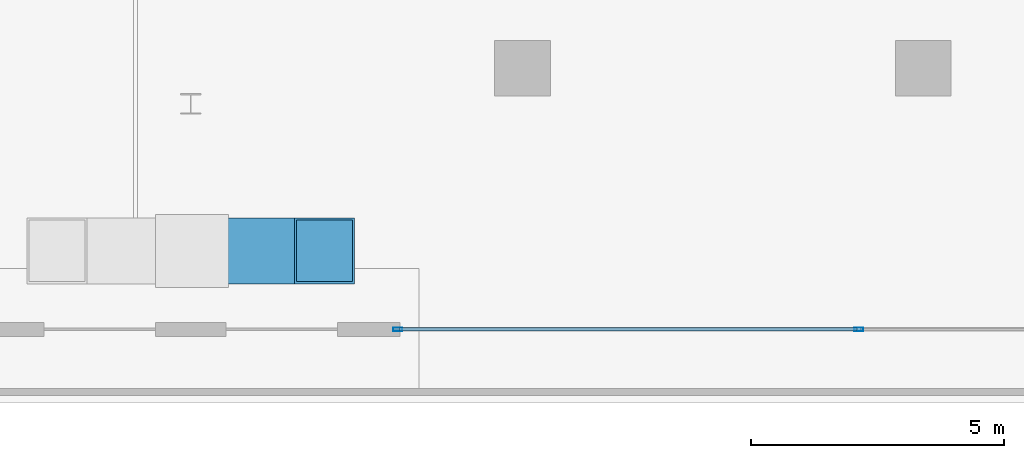
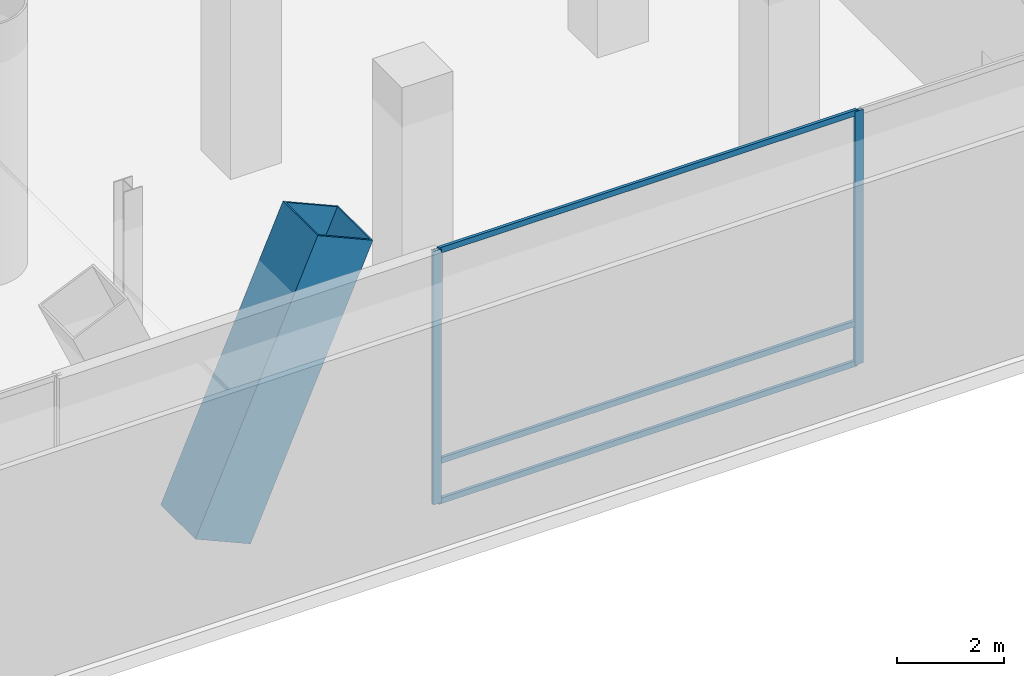
# One storey, part 12 of 40: 6 members, 1 element without a shape of its own.
"""IFC4 building model written with IfcOpenShell, lengths in metres."""

from ifc_helpers import new_model, si_unit, direction, frame, origin, origin_2d, place, context, subcontext, project, spatial, hollow_rectangle, extrude, material, layer, layer_set, material_profile, profile_set, type_object, element, aggregate, save


model = new_model("IFC4")

# Units and contexts
model_context = context("Model", 3, precision=1e-05, world=origin(), true_north=direction((0.0, 1.0)))
body_context = subcontext(model_context, "Body", "Model", "MODEL_VIEW")
ifc_project = project(units=[si_unit("LENGTHUNIT", "METRE"), si_unit("AREAUNIT", "SQUARE_METRE"), si_unit("VOLUMEUNIT", "CUBIC_METRE"), si_unit("PLANEANGLEUNIT", "RADIAN"), si_unit("MASSUNIT", "GRAM", prefix="KILO")], contexts=[model_context])

# Site, building, storey
site_placement = place(None, origin())
site = spatial("IfcSite", under=ifc_project, at=site_placement, CompositionType="ELEMENT")
building_placement = place(site_placement, origin())
building = spatial("IfcBuilding", under=site, at=building_placement, Name="Qianvela Tower", CompositionType="ELEMENT")
storey_placement = place(building_placement, origin())
storey = spatial("IfcBuildingStorey", under=building, at=storey_placement, Name="L00", CompositionType="ELEMENT", Elevation=0.0)

# Curtain wall, members
ifc_material_1 = material(Name="Anodised Architectural Aluminium and Low-E Glass", Category="aluminium")
ifc_layer = layer(ifc_material_1, 0.199951171875)
ifc_layer_set = layer_set([ifc_layer], Name="Anodised Architectural Aluminium and Low-E Glass")
curtain_wall_type = type_object("IfcCurtainWallType", Name="CW-CONCOURSE", PredefinedType="USERDEFINED", material=ifc_layer_set)
curtain_wall_placement = place(storey_placement, origin())
curtain_wall = element("IfcCurtainWall", 1, at=curtain_wall_placement, inside=storey, type_object=curtain_wall_type, Name="L00 CW-CONCOURSE Curtain Wall 01B", ObjectType="CURTAIN_WALL_SYSTEM", PredefinedType="USERDEFINED")
ifc_material_2 = material(Name="Anodised Architectural Aluminium 6063-T6", Category="aluminium")
ifc_material_profile_1 = material_profile(ifc_material_2, hollow_rectangle(XDim=0.070068359375, YDim=0.179931640625, WallThickness=0.0048828125, at=origin_2d()), Name="ALU-MULL-70x180")
ifc_profile_set_1 = profile_set([ifc_material_profile_1], Name="Anodised Architectural Aluminium 6063-T6")
member_type_1 = type_object("IfcMemberType", Name="CW-CONCOURSE-MULL", PredefinedType="MULLION", material=ifc_profile_set_1)
member_1_placement = place(storey_placement, frame((41.5849609375, 2.949951171875, 0.0), z_axis=(0.0, 0.0, 1.0), x_axis=(0.0, 1.0, 0.0)))
member_1 = element("IfcMember", 2, at=member_1_placement, type_object=member_type_1, Name="CW-1 mullion 1", PredefinedType="MULLION", context=body_context, shape_type="SweptSolid", body=[
    extrude(hollow_rectangle(XDim=0.070068359375, YDim=0.179931640625, WallThickness=0.0048828125, at=origin_2d()), origin(), (0.0, 0.0, 1.0), 5.780029296875),
])
member_2_placement = place(storey_placement, frame((50.683349609375, 2.949951171875, 0.0), z_axis=(0.0, 0.0, 1.0), x_axis=(0.0, 1.0, 0.0)))
member_2 = element("IfcMember", 3, at=member_2_placement, type_object=member_type_1, Name="CW-1 mullion 2", PredefinedType="MULLION", context=body_context, shape_type="SweptSolid", body=[
    extrude(hollow_rectangle(XDim=0.070068359375, YDim=0.179931640625, WallThickness=0.0048828125, at=origin_2d()), origin(), (0.0, 0.0, 1.0), 5.780029296875),
])
ifc_material_3 = material(Name="Anodised Architectural Aluminium 6063-T6", Category="aluminium")
ifc_material_profile_2 = material_profile(ifc_material_3, hollow_rectangle(XDim=0.06494140625, YDim=0.1298828125, WallThickness=0.00439453125, at=origin_2d()), Name="ALU-TRAN-65x130")
ifc_profile_set_2 = profile_set([ifc_material_profile_2], Name="Anodised Architectural Aluminium 6063-T6")
member_type_2 = type_object("IfcMemberType", Name="CW-CONCOURSE-TRAN", PredefinedType="USERDEFINED", material=ifc_profile_set_2)
member_3_placement = place(storey_placement, frame((41.6201171875, 2.949951171875, 0.032470703125), z_axis=(1.0, 0.0, 0.0), x_axis=(0.0, 1.0, 0.0)))
member_3 = element("IfcMember", 4, at=member_3_placement, type_object=member_type_2, Name="CW-1 transom 1.1", ObjectType="TRANSOM", PredefinedType="USERDEFINED", context=body_context, shape_type="SweptSolid", body=[
    extrude(hollow_rectangle(XDim=0.06494140625, YDim=0.1298828125, WallThickness=0.00439453125, at=origin_2d()), origin(), (0.0, 0.0, 1.0), 9.0283203125),
])
member_4_placement = place(storey_placement, frame((41.6201171875, 2.949951171875, 0.949951171875), z_axis=(1.0, 0.0, 0.0), x_axis=(0.0, 1.0, 0.0)))
member_4 = element("IfcMember", 5, at=member_4_placement, type_object=member_type_2, Name="CW-1 transom 1.2", ObjectType="TRANSOM", PredefinedType="USERDEFINED", context=body_context, shape_type="SweptSolid", body=[
    extrude(hollow_rectangle(XDim=0.06494140625, YDim=0.1298828125, WallThickness=0.00439453125, at=origin_2d()), origin(), (0.0, 0.0, 1.0), 9.0283203125),
])
member_5_placement = place(storey_placement, frame((41.6201171875, 2.949951171875, 5.74755859375), z_axis=(1.0, 0.0, 0.0), x_axis=(0.0, 1.0, 0.0)))
member_5 = element("IfcMember", 6, at=member_5_placement, type_object=member_type_2, Name="CW-1 transom 1.3", ObjectType="TRANSOM", PredefinedType="USERDEFINED", context=body_context, shape_type="SweptSolid", body=[
    extrude(hollow_rectangle(XDim=0.06494140625, YDim=0.1298828125, WallThickness=0.00439453125, at=origin_2d()), origin(), (0.0, 0.0, 1.0), 9.0283203125),
])
aggregate(curtain_wall, [member_1, member_2, member_3, member_4, member_5])

# Member
ifc_material_4 = material(Name="Steel Q420GJC", Category="steel")
ifc_material_profile_3 = material_profile(ifc_material_4, hollow_rectangle(XDim=1.300048828125, YDim=1.300048828125, WallThickness=0.044921875, at=origin_2d()), Name="VBOX-1300x1300x45")
ifc_profile_set_3 = profile_set([ifc_material_profile_3], Name="Steel Q420GJC")
member_type_3 = type_object("IfcMemberType", Name="MBR-VCOL-1300", PredefinedType="POST", material=ifc_profile_set_3)
member_6_placement = place(storey_placement, frame((37.5, 4.5, 0.0), z_axis=(0.402662474024, 0.0, 0.91534853035), x_axis=(0.0, 1.0, 0.0)))
element("IfcMember", 7, at=member_6_placement, inside=storey, type_object=member_type_3, Name="L00 Concourse Inclined V-Column VC-S2 Leg R", PredefinedType="POST", context=body_context, shape_type="SweptSolid", body=[
    extrude(hollow_rectangle(XDim=1.300048828125, YDim=1.300048828125, WallThickness=0.044921875, at=origin_2d()), origin(), (0.0, 0.0, 1.0), 6.554931640625),
])

save(model, "model.ifc")
